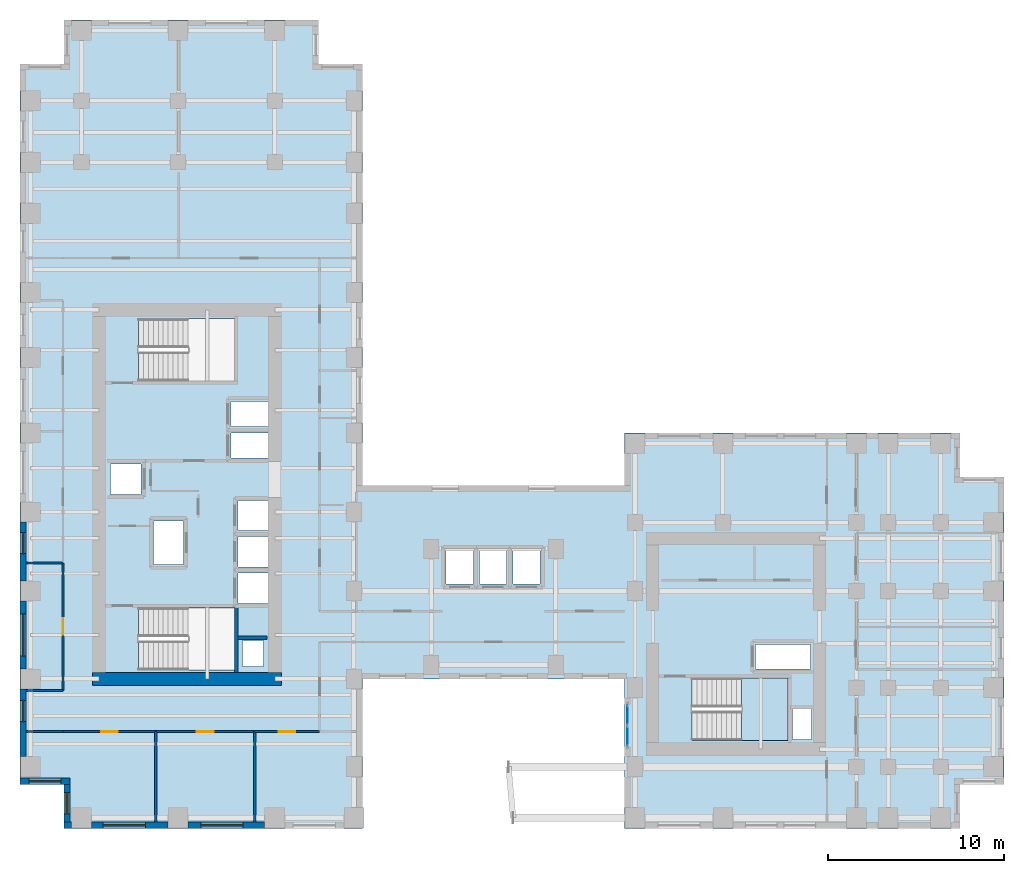
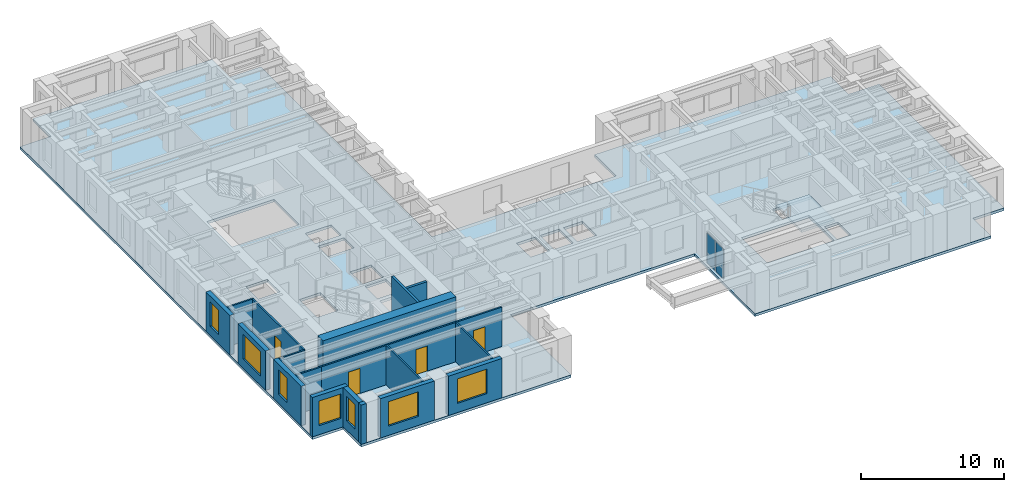
# One storey, part 6 of 14: 20 walls, 7 windows, 4 doors, 2 plates, 2 slabs, 11 openings, 2 elements without a shape of their own.
"""IFC4 building model written with IfcOpenShell, lengths in metres."""

from ifc_helpers import new_model, si_unit, direction, frame, frame_2d, origin, origin_2d, place, context, subcontext, project, spatial, polyline, rectangle, outline, extrude, source, transform, mapped, material, layer, layer_set, type_object, element, fill, aggregate, save


model = new_model("IFC4")

# Units and contexts
model_context = context("Model", 3, precision=1e-05, world=origin(), true_north=direction((0.0, 1.0)))
body_context = subcontext(model_context, "Body", "Model", "MODEL_VIEW")
ifc_project = project(units=[si_unit("LENGTHUNIT", "METRE"), si_unit("AREAUNIT", "SQUARE_METRE"), si_unit("VOLUMEUNIT", "CUBIC_METRE"), si_unit("PLANEANGLEUNIT", "RADIAN"), si_unit("MASSUNIT", "GRAM", prefix="KILO")], contexts=[model_context])

# Site, building, storey
site_placement = place(None, origin())
site = spatial("IfcSite", under=ifc_project, at=site_placement, CompositionType="ELEMENT")
building_placement = place(site_placement, origin())
building = spatial("IfcBuilding", under=site, at=building_placement, Name="Kharzan Plaza Tower", CompositionType="ELEMENT")
storey_placement = place(building_placement, frame((0.0, 0.0, 131.39990234375)))
storey = spatial("IfcBuildingStorey", under=building, at=storey_placement, Name="L35", CompositionType="ELEMENT", Elevation=131.39990234375)

# Slab
ifc_material_1 = material(Name="Concrete C40/50", Category="concrete")
ifc_layer_1 = layer(ifc_material_1, 0.219970703125)
ifc_layer_set_1 = layer_set([ifc_layer_1], Name="Concrete C40/50")
slab_type_1 = type_object("IfcSlabType", Name="SL-FLOOR-220", PredefinedType="FLOOR", material=ifc_layer_set_1)
slab_1_placement = place(storey_placement, frame((0.0, 0.0, -0.219970703125)))
element("IfcSlab", 1, at=slab_1_placement, inside=storey, type_object=slab_type_1, Name="L35 Composite Structural Floor Slab 220 mm", PredefinedType="FLOOR", context=body_context, shape_type="SweptSolid", body=[
    extrude(outline(polyline([(34.39990234375, 19.5), (19.5, 19.5), (19.5, 43.5), (17.0, 43.5), (17.0, 46.0), (2.5, 46.0), (2.5, 43.5), (0.0, 43.5), (0.0, 2.5), (2.5, 2.5), (2.5, 0.0), (19.5, 0.0), (19.5, 8.5), (34.39990234375, 8.5), (34.39990234375, 0.0), (53.5, 0.0), (53.5, 2.5), (56.0, 2.5), (56.0, 20.0), (53.5, 20.0), (53.5, 22.5), (34.39990234375, 22.5), (34.39990234375, 19.5)]), holes=[polyline([(12.199951171875, 9.0), (12.199951171875, 12.550048828125), (6.75, 12.550048828125), (6.75, 9.0), (12.199951171875, 9.0)]), polyline([(14.10009765625, 12.800048828125), (14.10009765625, 14.530029296875), (12.39990234375, 14.530029296875), (12.39990234375, 12.800048828125), (14.10009765625, 12.800048828125)]), polyline([(14.10009765625, 14.8701171875), (14.10009765625, 16.60009765625), (12.39990234375, 16.60009765625), (12.39990234375, 14.8701171875), (14.10009765625, 14.8701171875)]), polyline([(9.300048828125, 15.0), (9.300048828125, 17.5), (7.60009765625, 17.5), (7.60009765625, 15.0), (9.300048828125, 15.0)]), polyline([(6.89990234375, 19.010009765625), (6.89990234375, 20.72998046875), (5.14990234375, 20.72998046875), (5.14990234375, 19.010009765625), (6.89990234375, 19.010009765625)]), polyline([(14.10009765625, 21.070068359375), (14.10009765625, 22.489990234375), (12.0, 22.489990234375), (12.0, 21.070068359375), (14.10009765625, 21.070068359375)]), polyline([(14.10009765625, 22.8701171875), (14.10009765625, 24.2900390625), (12.0, 24.2900390625), (12.0, 22.8701171875), (14.10009765625, 22.8701171875)]), polyline([(12.199951171875, 25.449951171875), (12.199951171875, 29.0), (6.75, 29.0), (6.75, 25.449951171875), (12.199951171875, 25.449951171875)]), polyline([(45.050048828125, 5.050048828125), (45.050048828125, 6.800048828125), (43.949951171875, 6.800048828125), (43.949951171875, 5.050048828125), (45.050048828125, 5.050048828125)]), polyline([(43.699951171875, 5.0), (43.699951171875, 8.550048828125), (38.25, 8.550048828125), (38.25, 5.0), (43.699951171875, 5.0)]), polyline([(45.0, 9.070068359375), (45.0, 10.469970703125), (41.85009765625, 10.469970703125), (41.85009765625, 9.070068359375), (45.0, 9.070068359375)]), polyline([(13.85009765625, 9.199951171875), (13.85009765625, 10.699951171875), (12.64990234375, 10.699951171875), (12.64990234375, 9.199951171875), (13.85009765625, 9.199951171875)]), polyline([(25.800048828125, 13.89990234375), (25.800048828125, 15.85009765625), (24.25, 15.85009765625), (24.25, 13.89990234375), (25.800048828125, 13.89990234375)]), polyline([(27.699951171875, 13.89990234375), (27.699951171875, 15.85009765625), (26.14990234375, 15.85009765625), (26.14990234375, 13.89990234375), (27.699951171875, 13.89990234375)]), polyline([(29.60009765625, 13.89990234375), (29.60009765625, 15.85009765625), (28.050048828125, 15.85009765625), (28.050048828125, 13.89990234375), (29.60009765625, 13.89990234375)]), polyline([(14.10009765625, 16.93994140625), (14.10009765625, 18.64990234375), (12.39990234375, 18.64990234375), (12.39990234375, 16.93994140625), (14.10009765625, 16.93994140625)])]), origin(), (0.0, 0.0, 1.0), 0.219970703125),
])

# Stair, slab
stair_type = type_object("IfcStairType", Name="STR-ST-3", PredefinedType="HALF_TURN_STAIR", material=ifc_material_1)
stair_placement = place(storey_placement, origin())
stair = element("IfcStair", 2, at=stair_placement, inside=storey, type_object=stair_type, Name="L35 Protected Exit Stair ST-3", PredefinedType="HALF_TURN_STAIR")
ifc_layer_2 = layer(ifc_material_1, 0.219970703125)
ifc_layer_set_2 = layer_set([ifc_layer_2], Name="Concrete C40/50")
slab_type_2 = type_object("IfcSlabType", Name="SL-LANDING-220", PredefinedType="LANDING", material=ifc_layer_set_2)
slab_2_placement = place(storey_placement, frame((0.0, 0.0, 1.60009765625)))
slab_2 = element("IfcSlab", 3, at=slab_2_placement, type_object=slab_type_2, Name="ST-3 landing 1", PredefinedType="LANDING", context=body_context, shape_type="SweptSolid", body=[
    extrude(outline(polyline([(41.050048828125, 5.0), (43.699951171875, 5.0), (43.699951171875, 8.550048828125), (41.050048828125, 8.550048828125), (41.050048828125, 5.0)])), origin(), (0.0, 0.0, 1.0), 0.199951171875),
])
aggregate(stair, [slab_2])

# Curtain wall, plates
ifc_material_2 = material(Name="Unitised Bronze-Anodized Aluminium and Low-E Glass", Category="aluminium")
ifc_layer_3 = layer(ifc_material_2, 0.199951171875)
ifc_layer_set_3 = layer_set([ifc_layer_3], Name="Unitised Bronze-Anodized Aluminium and Low-E Glass")
curtain_wall_type = type_object("IfcCurtainWallType", Name="CW-SLOT-3", PredefinedType="NOTDEFINED", material=ifc_layer_set_3)
curtain_wall_placement = place(storey_placement, origin())
curtain_wall = element("IfcCurtainWall", 4, at=curtain_wall_placement, inside=storey, type_object=curtain_wall_type, Name="L35 East Slot Recessed Spine Curtain Wall", PredefinedType="NOTDEFINED")
ifc_material_3 = material(Name="Dark Solar-Control Double Glazing", Category="glass")
ifc_layer_4 = layer(ifc_material_3, 0.031982421875)
ifc_layer_set_4 = layer_set([ifc_layer_4], Name="Dark Solar-Control Double Glazing")
plate_type = type_object("IfcPlateType", Name="PLT-CW-GLASS", PredefinedType="CURTAIN_PANEL", material=ifc_layer_set_4)
shared_shape_1 = source(origin(), body_context, "Body", "SweptSolid", [
    extrude(rectangle(XDim=1.080078125, YDim=0.031982421875, at=origin_2d()), origin(), (0.0, 0.0, 1.0), 2.5400390625),
])
plate_1_placement = place(storey_placement, frame((34.580078125, 5.25, 0.080078125), z_axis=(0.0, 0.0, 1.0), x_axis=(0.0, 1.0, 0.0)))
plate_1 = element("IfcPlate", 5, at=plate_1_placement, type_object=plate_type, Name="L35 Curtain-Wall Glazed Panel 00", PredefinedType="CURTAIN_PANEL", context=body_context, shape_type="MappedRepresentation", body=[
    mapped(shared_shape_1, transform((0.0, 0.0, 0.0), x_axis=(1.0, 0.0, 0.0), y_axis=(0.0, 1.0, 0.0), z_axis=(0.0, 0.0, 1.0))),
])
plate_2_placement = place(storey_placement, frame((34.580078125, 6.449951171875, 0.080078125), z_axis=(0.0, 0.0, 1.0), x_axis=(0.0, 1.0, 0.0)))
plate_2 = element("IfcPlate", 6, at=plate_2_placement, type_object=plate_type, Name="L35 Curtain-Wall Glazed Panel 01", PredefinedType="CURTAIN_PANEL", context=body_context, shape_type="MappedRepresentation", body=[
    mapped(shared_shape_1, transform((0.0, 0.0, 0.0), x_axis=(1.0, 0.0, 0.0), y_axis=(0.0, 1.0, 0.0), z_axis=(0.0, 0.0, 1.0))),
])
aggregate(curtain_wall, [plate_1, plate_2])

# Wall, opening, window
ifc_layer_5 = layer(ifc_material_1, 0.35009765625)
ifc_layer_set_5 = layer_set([ifc_layer_5], Name="Concrete C40/50")
wall_type_1 = type_object("IfcWallType", Name="WL-EXT-MAS-Z2", PredefinedType="SOLIDWALL", material=ifc_layer_set_5)
wall_1_placement = place(storey_placement, frame((0.175048828125, 17.427001953125, 0.0), z_axis=(0.0, 0.0, 1.0), x_axis=(0.0, -1.0, 0.0)))
wall_1 = element("IfcWall", 7, at=wall_1_placement, inside=storey, type_object=wall_type_1, Name="L35 Masonry-Frame Exterior Wall 23", PredefinedType="SOLIDWALL", context=body_context, shape_type="SweptSolid", body=[
    extrude(rectangle(XDim=3.35400390625, YDim=0.35009765625, at=frame_2d((1.677001953125, 0.0))), origin(), (0.0, 0.0, 1.0), 3.364990234375),
])
opening_1_placement = place(wall_1_placement, frame((0.598388671875, 0.0, 0.780029296875)))
opening_1 = element("IfcOpeningElement", 8, at=opening_1_placement, cuts=wall_1, Name="Opening W3", PredefinedType="OPENING", context=body_context, shape_type="SweptSolid", body=[
    extrude(rectangle(XDim=1.199951171875, YDim=2.10009765625, at=frame_2d((0.60009765625, 1.050048828125))), frame((0.0, 0.18505859375, 0.0), z_axis=(0.0, -1.0, 0.0), x_axis=(1.0, 0.0, 0.0)), (0.0, 0.0, 1.0), 0.3701171875),
])
ifc_material_4 = material(Name="Low-E Double Glazing", Category="glass")
window_type_1 = type_object("IfcWindowType", Name="WN-REC-1200x2100", PartitioningType="SINGLE_PANEL", PredefinedType="WINDOW", material=ifc_material_4)
shared_shape_2 = source(origin(), body_context, "Body", "SweptSolid", [
    extrude(rectangle(XDim=1.199951171875, YDim=2.10009765625, at=frame_2d((0.60009765625, 1.050048828125))), frame((0.0, 0.030029296875, 0.0), z_axis=(0.0, -1.0, 0.0), x_axis=(1.0, 0.0, 0.0)), (0.0, 0.0, 1.0), 0.06005859375),
])
window_1_placement = place(opening_1_placement, origin())
window_1 = element("IfcWindow", 9, at=window_1_placement, inside=storey, type_object=window_type_1, Name="L35 Recessed Solar-Control Window 23-1", OverallHeight=2.10009765625, OverallWidth=1.199951171875, PartitioningType="SINGLE_PANEL", PredefinedType="WINDOW", context=body_context, shape_type="MappedRepresentation", body=[
    mapped(shared_shape_2, transform((0.0, 0.0, 0.0), x_axis=(1.0, 0.0, 0.0), y_axis=(0.0, 1.0, 0.0), z_axis=(0.0, 0.0, 1.0))),
])
fill(opening_1, window_1)

wall_2_placement = place(storey_placement, frame((0.175048828125, 12.927001953125, 0.0), z_axis=(0.0, 0.0, 1.0), x_axis=(0.0, -1.0, 0.0)))
wall_2 = element("IfcWall", 10, at=wall_2_placement, inside=storey, type_object=wall_type_1, Name="L35 Masonry-Frame Exterior Wall 24", PredefinedType="SOLIDWALL", context=body_context, shape_type="SweptSolid", body=[
    extrude(rectangle(XDim=3.85400390625, YDim=0.35009765625, at=frame_2d((1.927001953125, 0.0))), origin(), (0.0, 0.0, 1.0), 3.364990234375),
])
opening_2_placement = place(wall_2_placement, frame((0.72705078125, 0.0, 0.780029296875)))
opening_2 = element("IfcOpeningElement", 11, at=opening_2_placement, cuts=wall_2, Name="Opening W2", PredefinedType="OPENING", context=body_context, shape_type="SweptSolid", body=[
    extrude(rectangle(XDim=2.39990234375, YDim=2.10009765625, at=frame_2d((1.199951171875, 1.050048828125))), frame((0.0, 0.18505859375, 0.0), z_axis=(0.0, -1.0, 0.0), x_axis=(1.0, 0.0, 0.0)), (0.0, 0.0, 1.0), 0.3701171875),
])
window_type_2 = type_object("IfcWindowType", Name="WN-REC-2400x2100", PartitioningType="SINGLE_PANEL", PredefinedType="WINDOW", material=ifc_material_4)
shared_shape_3 = source(origin(), body_context, "Body", "SweptSolid", [
    extrude(rectangle(XDim=2.39990234375, YDim=2.10009765625, at=frame_2d((1.199951171875, 1.050048828125))), frame((0.0, 0.030029296875, 0.0), z_axis=(0.0, -1.0, 0.0), x_axis=(1.0, 0.0, 0.0)), (0.0, 0.0, 1.0), 0.06005859375),
])
window_2_placement = place(opening_2_placement, origin())
window_2 = element("IfcWindow", 12, at=window_2_placement, inside=storey, type_object=window_type_2, Name="L35 Wide Recessed Solar-Control Window 24-1", OverallHeight=2.10009765625, OverallWidth=2.39990234375, PartitioningType="SINGLE_PANEL", PredefinedType="WINDOW", context=body_context, shape_type="MappedRepresentation", body=[
    mapped(shared_shape_3, transform((0.0, 0.0, 0.0), x_axis=(1.0, 0.0, 0.0), y_axis=(0.0, 1.0, 0.0), z_axis=(0.0, 0.0, 1.0))),
])
fill(opening_2, window_2)

wall_3_placement = place(storey_placement, frame((0.175048828125, 7.927001953125, 0.0), z_axis=(0.0, 0.0, 1.0), x_axis=(0.0, -1.0, 0.0)))
wall_3 = element("IfcWall", 13, at=wall_3_placement, inside=storey, type_object=wall_type_1, Name="L35 Masonry-Frame Exterior Wall 25", PredefinedType="SOLIDWALL", context=body_context, shape_type="SweptSolid", body=[
    extrude(rectangle(XDim=3.85400390625, YDim=0.35009765625, at=frame_2d((1.927001953125, 0.0))), origin(), (0.0, 0.0, 1.0), 3.364990234375),
])
opening_3_placement = place(wall_3_placement, frame((0.652099609375, 0.0, 0.780029296875)))
opening_3 = element("IfcOpeningElement", 14, at=opening_3_placement, cuts=wall_3, Name="Opening W3", PredefinedType="OPENING", context=body_context, shape_type="SweptSolid", body=[
    extrude(rectangle(XDim=1.199951171875, YDim=2.10009765625, at=frame_2d((0.60009765625, 1.050048828125))), frame((0.0, 0.18505859375, 0.0), z_axis=(0.0, -1.0, 0.0), x_axis=(1.0, 0.0, 0.0)), (0.0, 0.0, 1.0), 0.3701171875),
])
window_3_placement = place(opening_3_placement, origin())
window_3 = element("IfcWindow", 15, at=window_3_placement, inside=storey, type_object=window_type_1, Name="L35 Recessed Solar-Control Window 25-1", OverallHeight=2.10009765625, OverallWidth=1.199951171875, PartitioningType="SINGLE_PANEL", PredefinedType="WINDOW", context=body_context, shape_type="MappedRepresentation", body=[
    mapped(shared_shape_2, transform((0.0, 0.0, 0.0), x_axis=(1.0, 0.0, 0.0), y_axis=(0.0, 1.0, 0.0), z_axis=(0.0, 0.0, 1.0))),
])
fill(opening_3, window_3)

wall_4_placement = place(storey_placement, frame((0.0, 2.675048828125, 0.0), z_axis=(0.0, 0.0, 1.0), x_axis=(1.0, 0.0, 0.0)))
wall_4 = element("IfcWall", 16, at=wall_4_placement, inside=storey, type_object=wall_type_1, Name="L35 Masonry-Frame Exterior Wall 26", PredefinedType="SOLIDWALL", context=body_context, shape_type="SweptSolid", body=[
    extrude(rectangle(XDim=2.85009765625, YDim=0.35009765625, at=frame_2d((1.425048828125, 0.0))), origin(), (0.0, 0.0, 1.0), 3.364990234375),
])
opening_4_placement = place(wall_4_placement, frame((0.52490234375, 0.0, 0.780029296875)))
opening_4 = element("IfcOpeningElement", 17, at=opening_4_placement, cuts=wall_4, Name="Opening W1", PredefinedType="OPENING", context=body_context, shape_type="SweptSolid", body=[
    extrude(rectangle(XDim=1.800048828125, YDim=2.10009765625, at=frame_2d((0.89990234375, 1.050048828125))), frame((0.0, 0.18505859375, 0.0), z_axis=(0.0, -1.0, 0.0), x_axis=(1.0, 0.0, 0.0)), (0.0, 0.0, 1.0), 0.3701171875),
])
window_type_3 = type_object("IfcWindowType", Name="WN-REC-1800x2100", PartitioningType="SINGLE_PANEL", PredefinedType="WINDOW", material=ifc_material_4)
shared_shape_4 = source(origin(), body_context, "Body", "SweptSolid", [
    extrude(rectangle(XDim=1.800048828125, YDim=2.10009765625, at=frame_2d((0.89990234375, 1.050048828125))), frame((0.0, 0.030029296875, 0.0), z_axis=(0.0, -1.0, 0.0), x_axis=(1.0, 0.0, 0.0)), (0.0, 0.0, 1.0), 0.06005859375),
])
window_4_placement = place(opening_4_placement, origin())
window_4 = element("IfcWindow", 18, at=window_4_placement, inside=storey, type_object=window_type_3, Name="L35 Recessed Solar-Control Window 26-1", OverallHeight=2.10009765625, OverallWidth=1.800048828125, PartitioningType="SINGLE_PANEL", PredefinedType="WINDOW", context=body_context, shape_type="MappedRepresentation", body=[
    mapped(shared_shape_4, transform((0.0, 0.0, 0.0), x_axis=(1.0, 0.0, 0.0), y_axis=(0.0, 1.0, 0.0), z_axis=(0.0, 0.0, 1.0))),
])
fill(opening_4, window_4)

wall_5_placement = place(storey_placement, frame((2.675048828125, 2.501953125, 0.0), z_axis=(0.0, 0.0, 1.0), x_axis=(0.0, -1.0, 0.0)))
wall_5 = element("IfcWall", 19, at=wall_5_placement, inside=storey, type_object=wall_type_1, Name="L35 Masonry-Frame Exterior Wall 27", PredefinedType="SOLIDWALL", context=body_context, shape_type="SweptSolid", body=[
    extrude(rectangle(XDim=2.154052734375, YDim=0.35009765625, at=frame_2d((1.0771484375, 0.0))), origin(), (0.0, 0.0, 1.0), 3.364990234375),
])
opening_5_placement = place(wall_5_placement, frame((0.47705078125, 0.0, 0.780029296875)))
opening_5 = element("IfcOpeningElement", 20, at=opening_5_placement, cuts=wall_5, Name="Opening W3", PredefinedType="OPENING", context=body_context, shape_type="SweptSolid", body=[
    extrude(rectangle(XDim=1.199951171875, YDim=2.10009765625, at=frame_2d((0.60009765625, 1.050048828125))), frame((0.0, 0.18505859375, 0.0), z_axis=(0.0, -1.0, 0.0), x_axis=(1.0, 0.0, 0.0)), (0.0, 0.0, 1.0), 0.3701171875),
])
window_5_placement = place(opening_5_placement, origin())
window_5 = element("IfcWindow", 21, at=window_5_placement, inside=storey, type_object=window_type_1, Name="L35 Recessed Solar-Control Window 27-1", OverallHeight=2.10009765625, OverallWidth=1.199951171875, PartitioningType="SINGLE_PANEL", PredefinedType="WINDOW", context=body_context, shape_type="MappedRepresentation", body=[
    mapped(shared_shape_2, transform((0.0, 0.0, 0.0), x_axis=(1.0, 0.0, 0.0), y_axis=(0.0, 1.0, 0.0), z_axis=(0.0, 0.0, 1.0))),
])
fill(opening_5, window_5)

wall_6_placement = place(storey_placement, frame((4.072998046875, 0.175048828125, 0.0), z_axis=(0.0, 0.0, 1.0), x_axis=(1.0, 0.0, 0.0)))
wall_6 = element("IfcWall", 22, at=wall_6_placement, inside=storey, type_object=wall_type_1, Name="L35 Masonry-Frame Exterior Wall 29", PredefinedType="SOLIDWALL", context=body_context, shape_type="SweptSolid", body=[
    extrude(rectangle(XDim=4.35400390625, YDim=0.35009765625, at=frame_2d((2.177001953125, 0.0))), origin(), (0.0, 0.0, 1.0), 3.364990234375),
])
opening_6_placement = place(wall_6_placement, frame((0.66357421875, 0.0, 0.780029296875)))
opening_6 = element("IfcOpeningElement", 23, at=opening_6_placement, cuts=wall_6, Name="Opening W2", PredefinedType="OPENING", context=body_context, shape_type="SweptSolid", body=[
    extrude(rectangle(XDim=2.39990234375, YDim=2.10009765625, at=frame_2d((1.199951171875, 1.050048828125))), frame((0.0, 0.18505859375, 0.0), z_axis=(0.0, -1.0, 0.0), x_axis=(1.0, 0.0, 0.0)), (0.0, 0.0, 1.0), 0.3701171875),
])
window_6_placement = place(opening_6_placement, origin())
window_6 = element("IfcWindow", 24, at=window_6_placement, inside=storey, type_object=window_type_2, Name="L35 Wide Recessed Solar-Control Window 29-1", OverallHeight=2.10009765625, OverallWidth=2.39990234375, PartitioningType="SINGLE_PANEL", PredefinedType="WINDOW", context=body_context, shape_type="MappedRepresentation", body=[
    mapped(shared_shape_3, transform((0.0, 0.0, 0.0), x_axis=(1.0, 0.0, 0.0), y_axis=(0.0, 1.0, 0.0), z_axis=(0.0, 0.0, 1.0))),
])
fill(opening_6, window_6)

wall_7_placement = place(storey_placement, frame((9.572998046875, 0.175048828125, 0.0), z_axis=(0.0, 0.0, 1.0), x_axis=(1.0, 0.0, 0.0)))
wall_7 = element("IfcWall", 25, at=wall_7_placement, inside=storey, type_object=wall_type_1, Name="L35 Masonry-Frame Exterior Wall 30", PredefinedType="SOLIDWALL", context=body_context, shape_type="SweptSolid", body=[
    extrude(rectangle(XDim=4.35400390625, YDim=0.35009765625, at=frame_2d((2.177001953125, 0.0))), origin(), (0.0, 0.0, 1.0), 3.364990234375),
])
opening_7_placement = place(wall_7_placement, frame((0.72705078125, 0.0, 0.780029296875)))
opening_7 = element("IfcOpeningElement", 26, at=opening_7_placement, cuts=wall_7, Name="Opening W2", PredefinedType="OPENING", context=body_context, shape_type="SweptSolid", body=[
    extrude(rectangle(XDim=2.39990234375, YDim=2.10009765625, at=frame_2d((1.199951171875, 1.050048828125))), frame((0.0, 0.18505859375, 0.0), z_axis=(0.0, -1.0, 0.0), x_axis=(1.0, 0.0, 0.0)), (0.0, 0.0, 1.0), 0.3701171875),
])
window_7_placement = place(opening_7_placement, origin())
window_7 = element("IfcWindow", 27, at=window_7_placement, inside=storey, type_object=window_type_2, Name="L35 Wide Recessed Solar-Control Window 30-1", OverallHeight=2.10009765625, OverallWidth=2.39990234375, PartitioningType="SINGLE_PANEL", PredefinedType="WINDOW", context=body_context, shape_type="MappedRepresentation", body=[
    mapped(shared_shape_3, transform((0.0, 0.0, 0.0), x_axis=(1.0, 0.0, 0.0), y_axis=(0.0, 1.0, 0.0), z_axis=(0.0, 0.0, 1.0))),
])
fill(opening_7, window_7)

# Wall, opening, door
ifc_material_5 = material(Name="Fire-Rated Gypsum Board Partition", Category="gypsum")
ifc_layer_6 = layer(ifc_material_5, 0.125)
ifc_layer_set_6 = layer_set([ifc_layer_6], Name="Fire-Rated Gypsum Board Partition")
wall_type_2 = type_object("IfcWallType", Name="WL-INT-PART-125", PredefinedType="PARTITIONING", material=ifc_layer_set_6)
wall_8_placement = place(storey_placement, frame((2.449951171875, 5.5, 0.0), z_axis=(0.0, 0.0, 1.0), x_axis=(1.0, 0.0, 0.0)))
wall_8 = element("IfcWall", 28, at=wall_8_placement, inside=storey, type_object=wall_type_2, Name="L35 Interior Partition SH-SS-1", PredefinedType="PARTITIONING", context=body_context, shape_type="SweptSolid", body=[
    extrude(rectangle(XDim=5.280029296875, YDim=0.125, at=frame_2d((2.64013671875, 0.0))), origin(), (0.0, 0.0, 1.0), 3.364990234375),
])
opening_8_placement = place(wall_8_placement, frame((2.1650390625, 0.0, 0.0)))
opening_8 = element("IfcOpeningElement", 29, at=opening_8_placement, cuts=wall_8, Name="Opening OD1", PredefinedType="OPENING", context=body_context, shape_type="SweptSolid", body=[
    extrude(rectangle(XDim=0.949951171875, YDim=2.14990234375, at=frame_2d((0.47509765625, 1.074951171875))), frame((0.0, 0.072509765625, 0.0), z_axis=(0.0, -1.0, 0.0), x_axis=(1.0, 0.0, 0.0)), (0.0, 0.0, 1.0), 0.14501953125),
])
ifc_material_6 = material(Name="Acoustic Solid-Core Stained Oak", Category="timber")
door_type = type_object("IfcDoorType", Name="DR-OFF-SINGLE", OperationType="NOTDEFINED", PredefinedType="DOOR", material=ifc_material_6)
shared_shape_5 = source(origin(), body_context, "Body", "SweptSolid", [
    extrude(rectangle(XDim=0.949951171875, YDim=2.14990234375, at=frame_2d((0.47509765625, 1.074951171875))), frame((0.0, 0.02490234375, 0.0), z_axis=(0.0, -1.0, 0.0), x_axis=(1.0, 0.0, 0.0)), (0.0, 0.0, 1.0), 0.050048828125),
])
door_1_placement = place(opening_8_placement, origin())
door_1 = element("IfcDoor", 30, at=door_1_placement, inside=storey, type_object=door_type, Name="L35 Executive Boardroom Door", OperationType="SINGLE_SWING_RIGHT", OverallHeight=2.14990234375, OverallWidth=0.949951171875, PredefinedType="DOOR", context=body_context, shape_type="MappedRepresentation", body=[
    mapped(shared_shape_5, transform((0.0, 0.0, 0.0), x_axis=(1.0, 0.0, 0.0), y_axis=(0.0, 1.0, 0.0), z_axis=(0.0, 0.0, 1.0))),
])
fill(opening_8, door_1)

wall_9_placement = place(storey_placement, frame((7.72998046875, 5.5, 0.0), z_axis=(0.0, 0.0, 1.0), x_axis=(1.0, 0.0, 0.0)))
wall_9 = element("IfcWall", 31, at=wall_9_placement, inside=storey, type_object=wall_type_2, Name="L35 Interior Partition SH-SS-2", PredefinedType="PARTITIONING", context=body_context, shape_type="SweptSolid", body=[
    extrude(rectangle(XDim=5.626953125, YDim=0.125, at=frame_2d((2.8134765625, 0.0))), origin(), (0.0, 0.0, 1.0), 3.364990234375),
])
opening_9_placement = place(wall_9_placement, frame((2.33837890625, 0.0, 0.0)))
opening_9 = element("IfcOpeningElement", 32, at=opening_9_placement, cuts=wall_9, Name="Opening OD1", PredefinedType="OPENING", context=body_context, shape_type="SweptSolid", body=[
    extrude(rectangle(XDim=0.949951171875, YDim=2.14990234375, at=frame_2d((0.47509765625, 1.074951171875))), frame((0.0, 0.072509765625, 0.0), z_axis=(0.0, -1.0, 0.0), x_axis=(1.0, 0.0, 0.0)), (0.0, 0.0, 1.0), 0.14501953125),
])
door_2_placement = place(opening_9_placement, origin())
door_2 = element("IfcDoor", 33, at=door_2_placement, inside=storey, type_object=door_type, Name="L35 Staff Tea Pantry Door", OperationType="SINGLE_SWING_LEFT", OverallHeight=2.14990234375, OverallWidth=0.949951171875, PredefinedType="DOOR", context=body_context, shape_type="MappedRepresentation", body=[
    mapped(shared_shape_5, transform((0.0, 0.0, 0.0), x_axis=(1.0, 0.0, 0.0), y_axis=(0.0, 1.0, 0.0), z_axis=(0.0, 0.0, 1.0))),
])
fill(opening_9, door_2)

wall_10_placement = place(storey_placement, frame((13.35693359375, 5.5, 0.0), z_axis=(0.0, 0.0, 1.0), x_axis=(1.0, 0.0, 0.0)))
wall_10 = element("IfcWall", 34, at=wall_10_placement, inside=storey, type_object=wall_type_2, Name="L35 Interior Partition SH-SS-3", PredefinedType="PARTITIONING", context=body_context, shape_type="SweptSolid", body=[
    extrude(rectangle(XDim=3.693115234375, YDim=0.125, at=frame_2d((1.8466796875, 0.0))), origin(), (0.0, 0.0, 1.0), 3.364990234375),
])
opening_10_placement = place(wall_10_placement, frame((1.37158203125, 0.0, 0.0)))
opening_10 = element("IfcOpeningElement", 35, at=opening_10_placement, cuts=wall_10, Name="Opening OD1", PredefinedType="OPENING", context=body_context, shape_type="SweptSolid", body=[
    extrude(rectangle(XDim=0.949951171875, YDim=2.14990234375, at=frame_2d((0.47509765625, 1.074951171875))), frame((0.0, 0.072509765625, 0.0), z_axis=(0.0, -1.0, 0.0), x_axis=(1.0, 0.0, 0.0)), (0.0, 0.0, 1.0), 0.14501953125),
])
door_3_placement = place(opening_10_placement, origin())
door_3 = element("IfcDoor", 36, at=door_3_placement, inside=storey, type_object=door_type, Name="L35 Design Collaboration Office Door", OperationType="SINGLE_SWING_RIGHT", OverallHeight=2.14990234375, OverallWidth=0.949951171875, PredefinedType="DOOR", context=body_context, shape_type="MappedRepresentation", body=[
    mapped(shared_shape_5, transform((0.0, 0.0, 0.0), x_axis=(1.0, 0.0, 0.0), y_axis=(0.0, 1.0, 0.0), z_axis=(0.0, 0.0, 1.0))),
])
fill(opening_10, door_3)

wall_11_placement = place(storey_placement, frame((2.449951171875, 7.85009765625, 0.0), z_axis=(0.0, 0.0, 1.0), x_axis=(0.0, 1.0, 0.0)))
wall_11 = element("IfcWall", 37, at=wall_11_placement, inside=storey, type_object=wall_type_2, Name="L35 Interior Partition SH-WW-1", PredefinedType="PARTITIONING", context=body_context, shape_type="SweptSolid", body=[
    extrude(rectangle(XDim=7.25, YDim=0.125, at=frame_2d((3.625, 0.0))), origin(), (0.0, 0.0, 1.0), 3.364990234375),
])
opening_11_placement = place(wall_11_placement, frame((3.14990234375, 0.0, 0.0)))
opening_11 = element("IfcOpeningElement", 38, at=opening_11_placement, cuts=wall_11, Name="Opening OD1", PredefinedType="OPENING", context=body_context, shape_type="SweptSolid", body=[
    extrude(rectangle(XDim=0.949951171875, YDim=2.14990234375, at=frame_2d((0.47509765625, 1.074951171875))), frame((0.0, 0.072509765625, 0.0), z_axis=(0.0, -1.0, 0.0), x_axis=(1.0, 0.0, 0.0)), (0.0, 0.0, 1.0), 0.14501953125),
])
door_4_placement = place(opening_11_placement, origin())
door_4 = element("IfcDoor", 39, at=door_4_placement, inside=storey, type_object=door_type, Name="L35 Conference Room Door", OperationType="SINGLE_SWING_LEFT", OverallHeight=2.14990234375, OverallWidth=0.949951171875, PredefinedType="DOOR", context=body_context, shape_type="MappedRepresentation", body=[
    mapped(shared_shape_5, transform((0.0, 0.0, 0.0), x_axis=(1.0, 0.0, 0.0), y_axis=(0.0, 1.0, 0.0), z_axis=(0.0, 0.0, 1.0))),
])
fill(opening_11, door_4)

# Walls
shared_shape_6 = source(origin(), body_context, "Body", "SweptSolid", [
    extrude(rectangle(XDim=2.097900390625, YDim=0.125, at=frame_2d((1.048828125, 0.0))), origin(), (0.0, 0.0, 1.0), 3.364990234375),
])
for number, where, z_axis, x_axis, name in (
    (40, (0.35205078125, 7.85009765625, 0.0), (0.0, 0.0, 1.0), (1.0, 0.0, 0.0), "L35 Interior Partition SH-RWS0"),
    (41, (0.35205078125, 5.5, 0.0), (0.0, 0.0, 1.0), (1.0, 0.0, 0.0), "L35 Interior Partition SH-SS-EXT"),
    (42, (0.35205078125, 15.10009765625, 0.0), (0.0, 0.0, 1.0), (1.0, 0.0, 0.0), "L35 Interior Partition SH-WH-1"),
):
    element("IfcWall", number, at=place(storey_placement, frame(where, z_axis=z_axis, x_axis=x_axis)), inside=storey, type_object=wall_type_2, Name=name, PredefinedType="PARTITIONING", context=body_context, shape_type="MappedRepresentation", body=[
        mapped(shared_shape_6, transform((0.0, 0.0, 0.0), x_axis=(1.0, 0.0, 0.0), y_axis=(0.0, 1.0, 0.0), z_axis=(0.0, 0.0, 1.0))),
    ])
ifc_material_7 = material(Name="Concrete C60/75", Category="concrete")
ifc_layer_7 = layer(ifc_material_7, 0.75)
ifc_layer_set_7 = layer_set([ifc_layer_7], Name="Concrete C60/75")
wall_type_3 = type_object("IfcWallType", Name="WL-CORE-750", PredefinedType="SHEAR", material=ifc_layer_set_7)
shared_shape_7 = source(origin(), body_context, "Body", "SweptSolid", [
    extrude(rectangle(XDim=10.75, YDim=0.75, at=frame_2d((5.375, 0.0))), origin(), (0.0, 0.0, 1.0), 3.380126953125),
])
wall_12_placement = place(storey_placement, frame((4.125, 8.5, 0.0), z_axis=(0.0, 0.0, 1.0), x_axis=(1.0, 0.0, 0.0)))
element("IfcWall", 43, at=wall_12_placement, inside=storey, type_object=wall_type_3, Name="L35 CORE-A south RC shear wall", PredefinedType="SHEAR", context=body_context, shape_type="MappedRepresentation", body=[
    mapped(shared_shape_7, transform((0.0, 0.0, 0.0), x_axis=(1.0, 0.0, 0.0), y_axis=(0.0, 1.0, 0.0), z_axis=(0.0, 0.0, 1.0))),
])
shared_shape_8 = source(origin(), body_context, "Body", "SweptSolid", [
    extrude(rectangle(XDim=0.427001953125, YDim=0.35009765625, at=frame_2d((0.21337890625, 0.0))), origin(), (0.0, 0.0, 1.0), 3.364990234375),
])
wall_13_placement = place(storey_placement, frame((2.5, 0.175048828125, 0.0), z_axis=(0.0, 0.0, 1.0), x_axis=(1.0, 0.0, 0.0)))
element("IfcWall", 44, at=wall_13_placement, inside=storey, type_object=wall_type_1, Name="L35 Masonry-Frame Exterior Wall 28", PredefinedType="SOLIDWALL", context=body_context, shape_type="MappedRepresentation", body=[
    mapped(shared_shape_8, transform((0.0, 0.0, 0.0), x_axis=(1.0, 0.0, 0.0), y_axis=(0.0, 1.0, 0.0), z_axis=(0.0, 0.0, 1.0))),
])
ifc_layer_8 = layer(ifc_material_1, 0.199951171875)
ifc_layer_set_8 = layer_set([ifc_layer_8], Name="Concrete C40/50")
wall_type_4 = type_object("IfcWallType", Name="WL-INT-SHAFT-200", PredefinedType="PARTITIONING", material=ifc_layer_set_8)
shared_shape_9 = source(origin(), body_context, "Body", "SweptSolid", [
    extrude(rectangle(XDim=1.630126953125, YDim=0.199951171875, at=frame_2d((0.81494140625, 0.0))), origin(), (0.0, 0.0, 1.0), 3.364990234375),
])
wall_14_placement = place(storey_placement, frame((12.419921875, 10.85009765625, 0.0), z_axis=(0.0, 0.0, 1.0), x_axis=(1.0, 0.0, 0.0)))
element("IfcWall", 45, at=wall_14_placement, inside=storey, type_object=wall_type_4, Name="L35 Interior Partition CA-RSRA-N", PredefinedType="PARTITIONING", context=body_context, shape_type="MappedRepresentation", body=[
    mapped(shared_shape_9, transform((0.0, 0.0, 0.0), x_axis=(1.0, 0.0, 0.0), y_axis=(0.0, 1.0, 0.0), z_axis=(0.0, 0.0, 1.0))),
])
ifc_material_8 = material(Name="Concrete C50/60", Category="concrete")
ifc_layer_9 = layer(ifc_material_8, 0.199951171875)
ifc_layer_set_9 = layer_set([ifc_layer_9], Name="Concrete C50/60")
wall_type_5 = type_object("IfcWallType", Name="WL-SHAFT-RC200", PredefinedType="SHEAR", material=ifc_layer_set_9)
shared_shape_10 = source(origin(), body_context, "Body", "SweptSolid", [
    extrude(rectangle(XDim=3.677978515625, YDim=0.199951171875, at=frame_2d((1.8388671875, 0.0))), origin(), (0.0, 0.0, 1.0), 3.380126953125),
])
wall_15_placement = place(storey_placement, frame((12.304931640625, 8.876953125, 0.0), z_axis=(0.0, 0.0, 1.0), x_axis=(0.0, 1.0, 0.0)))
element("IfcWall", 46, at=wall_15_placement, inside=storey, type_object=wall_type_5, Name="L35 Stair ST-1 East RC Shaft Wall", PredefinedType="SHEAR", context=body_context, shape_type="MappedRepresentation", body=[
    mapped(shared_shape_10, transform((0.0, 0.0, 0.0), x_axis=(1.0, 0.0, 0.0), y_axis=(0.0, 1.0, 0.0), z_axis=(0.0, 0.0, 1.0))),
])
shared_shape_11 = source(origin(), body_context, "Body", "SweptSolid", [
    extrude(rectangle(XDim=5.14794921875, YDim=0.125, at=frame_2d((2.573974609375, 0.0))), origin(), (0.0, 0.0, 1.0), 3.364990234375),
])
for number, where, z_axis, x_axis, name in (
    (47, (7.72998046875, 0.35205078125, 0.0), (0.0, 0.0, 1.0), (0.0, 1.0, 0.0), "L35 Interior Partition SH-SV-1"),
    (48, (13.35693359375, 0.35205078125, 0.0), (0.0, 0.0, 1.0), (0.0, 1.0, 0.0), "L35 Interior Partition SH-SV-2"),
):
    element("IfcWall", number, at=place(storey_placement, frame(where, z_axis=z_axis, x_axis=x_axis)), inside=storey, type_object=wall_type_2, Name=name, PredefinedType="PARTITIONING", context=body_context, shape_type="MappedRepresentation", body=[
        mapped(shared_shape_11, transform((0.0, 0.0, 0.0), x_axis=(1.0, 0.0, 0.0), y_axis=(0.0, 1.0, 0.0), z_axis=(0.0, 0.0, 1.0))),
    ])

save(model, "model.ifc")
